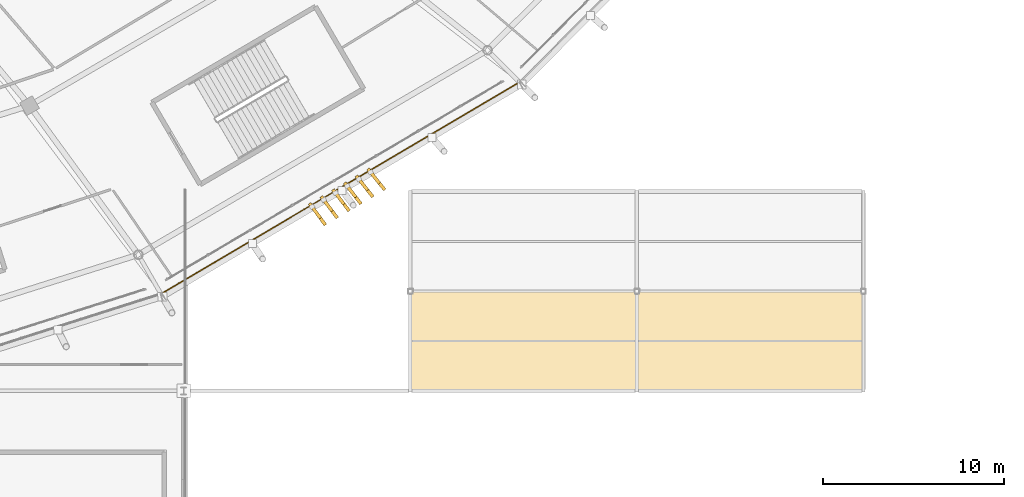
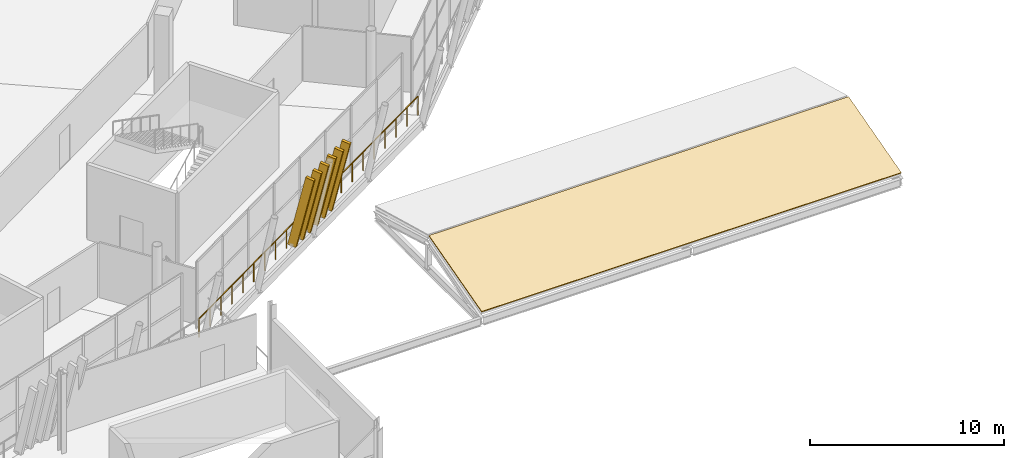
# One storey, part 160 of 179: 6 shading devices, 1 covering, 1 railing, 1 element without a shape of its own.
"""IFC4 building model written with IfcOpenShell, lengths in metres."""

from ifc_helpers import new_model, si_unit, direction, frame, origin, origin_2d, place, context, subcontext, project, spatial, polyline, rectangle, outline, extrude, material, layer, layer_set, material_profile, profile_set, type_object, element, aggregate, save


model = new_model("IFC4")

# Units and contexts
model_context = context("Model", 3, precision=1e-05, world=origin(), true_north=direction((0.0, 1.0)))
body_context = subcontext(model_context, "Body", "Model", "MODEL_VIEW")
ifc_project = project(units=[si_unit("LENGTHUNIT", "METRE"), si_unit("AREAUNIT", "SQUARE_METRE"), si_unit("VOLUMEUNIT", "CUBIC_METRE"), si_unit("PLANEANGLEUNIT", "RADIAN"), si_unit("MASSUNIT", "GRAM", prefix="KILO")], contexts=[model_context])

# Site, building, storey
site_placement = place(None, origin())
site = spatial("IfcSite", under=ifc_project, at=site_placement, CompositionType="ELEMENT")
building_placement = place(site_placement, origin())
building = spatial("IfcBuilding", under=site, at=building_placement, Name="Zlatoyarsky Gate Stadium", CompositionType="ELEMENT")
storey_placement = place(building_placement, frame((0.0, 0.0, 10.60009765625)))
storey = spatial("IfcBuildingStorey", under=building, at=storey_placement, Name="L02", CompositionType="ELEMENT", Elevation=10.60009765625)

# Railing
ifc_material_1 = material(Name="Powder-coated steel tubular guardrail", Category="steel")
railing_type = type_object("IfcRailingType", Name="CONCOURSE SLAB EDGE GUARDRAIL 1200", PredefinedType="GUARDRAIL", material=ifc_material_1)
railing_placement = place(storey_placement, frame((158.748046875, 16.3505859375, 0.0)))
element("IfcRailing", 1, at=railing_placement, inside=storey, type_object=railing_type, Name="L02 outer slab edge guardrail 20", PredefinedType="GUARDRAIL", context=body_context, shape_type="SweptSolid", body=[
    extrude(rectangle(XDim=0.048095703125, YDim=0.048095703125, at=origin_2d()), frame((0.0, 0.0, 1.17578125), z_axis=(0.86105938639, 0.508504408151, 0.0), x_axis=(-0.508504408151, 0.86105938639, 0.0)), (0.0, 0.0, 1.0), 22.96923828125),
    extrude(rectangle(XDim=0.0419921875, YDim=0.0419921875, at=origin_2d()), origin(), (0.0, 0.0, 1.0), 1.15185546875),
    extrude(rectangle(XDim=0.0419921875, YDim=0.0419921875, at=origin_2d()), frame((0.98876953125, 0.583984375, 0.0)), (0.0, 0.0, 1.0), 1.15185546875),
    extrude(rectangle(XDim=0.0419921875, YDim=0.0419921875, at=origin_2d()), frame((1.977783203125, 1.16796875, 0.0)), (0.0, 0.0, 1.0), 1.15185546875),
    extrude(rectangle(XDim=0.0419921875, YDim=0.0419921875, at=origin_2d()), frame((2.966796875, 1.751953125, 0.0)), (0.0, 0.0, 1.0), 1.15185546875),
    extrude(rectangle(XDim=0.0419921875, YDim=0.0419921875, at=origin_2d()), frame((3.95556640625, 2.3359375, 0.0)), (0.0, 0.0, 1.0), 1.15185546875),
    extrude(rectangle(XDim=0.0419921875, YDim=0.0419921875, at=origin_2d()), frame((4.9443359375, 2.919921875, 0.0)), (0.0, 0.0, 1.0), 1.15185546875),
    extrude(rectangle(XDim=0.0419921875, YDim=0.0419921875, at=origin_2d()), frame((5.933349609375, 3.50390625, 0.0)), (0.0, 0.0, 1.0), 1.15185546875),
    extrude(rectangle(XDim=0.0419921875, YDim=0.0419921875, at=origin_2d()), frame((6.92236328125, 4.087890625, 0.0)), (0.0, 0.0, 1.0), 1.15185546875),
    extrude(rectangle(XDim=0.0419921875, YDim=0.0419921875, at=origin_2d()), frame((7.9111328125, 4.671875, 0.0)), (0.0, 0.0, 1.0), 1.15185546875),
    extrude(rectangle(XDim=0.0419921875, YDim=0.0419921875, at=origin_2d()), frame((8.89990234375, 5.255859375, 0.0)), (0.0, 0.0, 1.0), 1.15185546875),
    extrude(rectangle(XDim=0.0419921875, YDim=0.0419921875, at=origin_2d()), frame((9.888916015625, 5.83984375, 0.0)), (0.0, 0.0, 1.0), 1.15185546875),
    extrude(rectangle(XDim=0.0419921875, YDim=0.0419921875, at=origin_2d()), frame((10.8779296875, 6.424072265625, 0.0)), (0.0, 0.0, 1.0), 1.15185546875),
    extrude(rectangle(XDim=0.0419921875, YDim=0.0419921875, at=origin_2d()), frame((11.86669921875, 7.008056640625, 0.0)), (0.0, 0.0, 1.0), 1.15185546875),
    extrude(rectangle(XDim=0.0419921875, YDim=0.0419921875, at=origin_2d()), frame((12.85546875, 7.592041015625, 0.0)), (0.0, 0.0, 1.0), 1.15185546875),
    extrude(rectangle(XDim=0.0419921875, YDim=0.0419921875, at=origin_2d()), frame((13.844482421875, 8.176025390625, 0.0)), (0.0, 0.0, 1.0), 1.15185546875),
    extrude(rectangle(XDim=0.0419921875, YDim=0.0419921875, at=origin_2d()), frame((14.83349609375, 8.760009765625, 0.0)), (0.0, 0.0, 1.0), 1.15185546875),
    extrude(rectangle(XDim=0.0419921875, YDim=0.0419921875, at=origin_2d()), frame((15.822265625, 9.343994140625, 0.0)), (0.0, 0.0, 1.0), 1.15185546875),
    extrude(rectangle(XDim=0.0419921875, YDim=0.0419921875, at=origin_2d()), frame((16.81103515625, 9.927978515625, 0.0)), (0.0, 0.0, 1.0), 1.15185546875),
    extrude(rectangle(XDim=0.0419921875, YDim=0.0419921875, at=origin_2d()), frame((17.800048828125, 10.511962890625, 0.0)), (0.0, 0.0, 1.0), 1.15185546875),
    extrude(rectangle(XDim=0.0419921875, YDim=0.0419921875, at=origin_2d()), frame((18.7890625, 11.095947265625, 0.0)), (0.0, 0.0, 1.0), 1.15185546875),
    extrude(rectangle(XDim=0.0419921875, YDim=0.0419921875, at=origin_2d()), frame((19.77783203125, 11.679931640625, 0.0)), (0.0, 0.0, 1.0), 1.15185546875),
])

# Shading devices
ifc_material_2 = material(Name="Precast concrete C40/50 stone-toned architectural rib", Category="masonry")
ifc_material_profile = material_profile(ifc_material_2, rectangle(XDim=0.179931640625, YDim=0.47998046875, at=origin_2d()), Name="RIB 180X480")
ifc_profile_set = profile_set([ifc_material_profile], Name="Precast concrete C40/50 stone-toned architectural rib")
shading_device_type = type_object("IfcShadingDeviceType", Name="PRECAST RIBBED BOWL LOUVRE FIN 180X480", PredefinedType="JALOUSIE", material=ifc_profile_set)
shading_device_1_placement = place(storey_placement, frame((167.0830078125, 21.158203125, -0.010009765625), z_axis=(0.131047917222, -0.178609914754, 0.975153804147), x_axis=(0.806260068831, 0.591561240624, 0.0)))
element("IfcShadingDevice", 2, at=shading_device_1_placement, inside=storey, type_object=shading_device_type, Name="Leaning bowl louvre fin L02-20-1", PredefinedType="JALOUSIE", context=body_context, shape_type="SweptSolid", body=[
    extrude(rectangle(XDim=0.179931640625, YDim=0.47998046875, at=origin_2d()), origin(), (0.0, 0.0, 1.0), 4.59423828125),
])
for number, where, z_axis, x_axis, name in (
    (3, (167.728515625, 21.539794921875, -0.010009765625), (0.132589693304, -0.177441677732, 0.975158666184), (0.801063945585, 0.598578779346, 0.0), "Leaning bowl louvre fin L02-20-2"),
    (4, (168.37451171875, 21.921142578125, -0.010009765625), (0.134026608342, -0.176275281471, 0.975173776), (0.796037315713, 0.605247546044, 0.0), "Leaning bowl louvre fin L02-20-3"),
):
    element("IfcShadingDevice", number, at=place(storey_placement, frame(where, z_axis=z_axis, x_axis=x_axis)), inside=storey, type_object=shading_device_type, Name=name, PredefinedType="JALOUSIE", context=body_context, shape_type="SweptSolid", body=[
        extrude(rectangle(XDim=0.179931640625, YDim=0.47998046875, at=origin_2d()), origin(), (0.0, 0.0, 1.0), 4.593994140625),
    ])
shading_device_2_placement = place(storey_placement, frame((169.02001953125, 22.302734375, -0.010009765625), z_axis=(0.1356183419, -0.175155977626, 0.975155397279), x_axis=(0.790693739308, 0.612211900096, 0.0)))
element("IfcShadingDevice", 5, at=shading_device_2_placement, inside=storey, type_object=shading_device_type, Name="Leaning bowl louvre fin L02-20-4", PredefinedType="JALOUSIE", context=body_context, shape_type="SweptSolid", body=[
    extrude(rectangle(XDim=0.179931640625, YDim=0.47998046875, at=origin_2d()), origin(), (0.0, 0.0, 1.0), 4.59423828125),
])
shading_device_3_placement = place(storey_placement, frame((169.666015625, 22.68408203125, -0.010009765625), z_axis=(0.137055604244, -0.173936794374, 0.975172678508), x_axis=(0.785459854929, 0.618912607963, 0.0)))
element("IfcShadingDevice", 6, at=shading_device_3_placement, inside=storey, type_object=shading_device_type, Name="Leaning bowl louvre fin L02-20-5", PredefinedType="JALOUSIE", context=body_context, shape_type="SweptSolid", body=[
    extrude(rectangle(XDim=0.179931640625, YDim=0.47998046875, at=origin_2d()), origin(), (0.0, 0.0, 1.0), 4.593994140625),
])
shading_device_4_placement = place(storey_placement, frame((170.3115234375, 23.065673828125, -0.010009765625), z_axis=(0.138594127022, -0.172817523419, 0.975154229624), x_axis=(0.780119326242, 0.625630751181, 0.0)))
element("IfcShadingDevice", 7, at=shading_device_4_placement, inside=storey, type_object=shading_device_type, Name="Leaning bowl louvre fin L02-20-6", PredefinedType="JALOUSIE", context=body_context, shape_type="SweptSolid", body=[
    extrude(rectangle(XDim=0.179931640625, YDim=0.47998046875, at=origin_2d()), origin(), (0.0, 0.0, 1.0), 4.59423828125),
])

# Roof, covering
ifc_material_3 = material(Name="Standing-seam aluminium-zinc roofing with mineral wool insulation", Category="aluminium")
ifc_layer_1 = layer(ifc_material_3, 0.080078125)
ifc_layer_set_1 = layer_set([ifc_layer_1], Name="Standing-seam aluminium-zinc roofing with mineral wool insulation")
roof_type = type_object("IfcRoofType", Name="WINTER GARDEN PAVILION ROOF ASSEMBLY", PredefinedType="PAVILION_ROOF", material=ifc_layer_set_1)
roof_placement = place(storey_placement, origin())
roof = element("IfcRoof", 8, at=roof_placement, inside=storey, type_object=roof_type, Name="V6_SE pavilion roof", PredefinedType="PAVILION_ROOF")
ifc_layer_2 = layer(ifc_material_3, 0.06005859375)
ifc_layer_set_2 = layer_set([ifc_layer_2], Name="Standing-seam aluminium-zinc roofing with mineral wool insulation")
covering_type = type_object("IfcCoveringType", Name="STANDING SEAM ALUMINIUM ZINC ROOFING 60", PredefinedType="ROOFING", material=ifc_layer_set_2)
covering_placement = place(storey_placement, frame((172.5, 11.0, 0.059814453125), z_axis=(0.0, -0.263121064037, 0.964762823527), x_axis=(1.0, 0.0, 0.0)))
covering = element("IfcCovering", 9, at=covering_placement, type_object=covering_type, Name="V6_SE standing seam roofing 1", PredefinedType="ROOFING", context=body_context, shape_type="SweptSolid", body=[
    extrude(outline(polyline([(0.0, 0.0), (25.0, 0.0), (25.0, 5.646981738949474), (0.0, 5.646981738949474), (0.0, 0.0)])), origin(), (0.0, 0.0, -1.0), 0.06005859375),
])
aggregate(roof, [covering])

save(model, "model.ifc")
